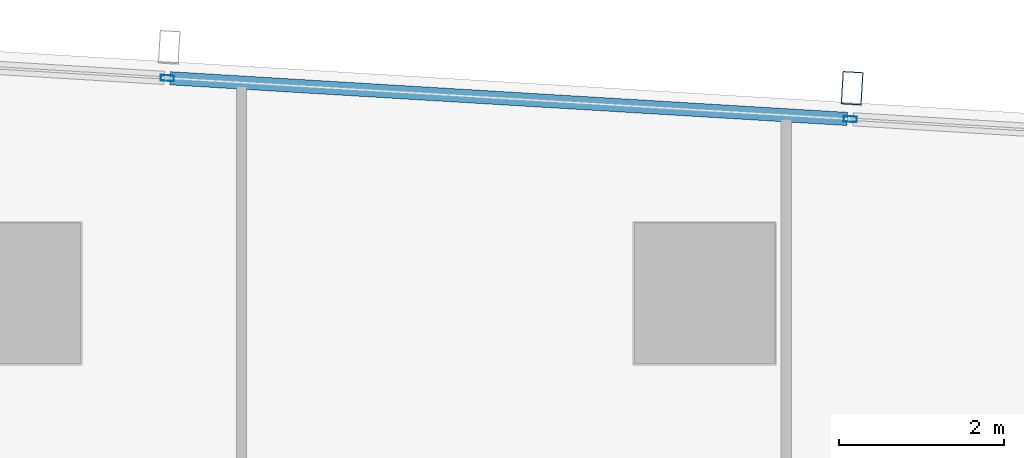
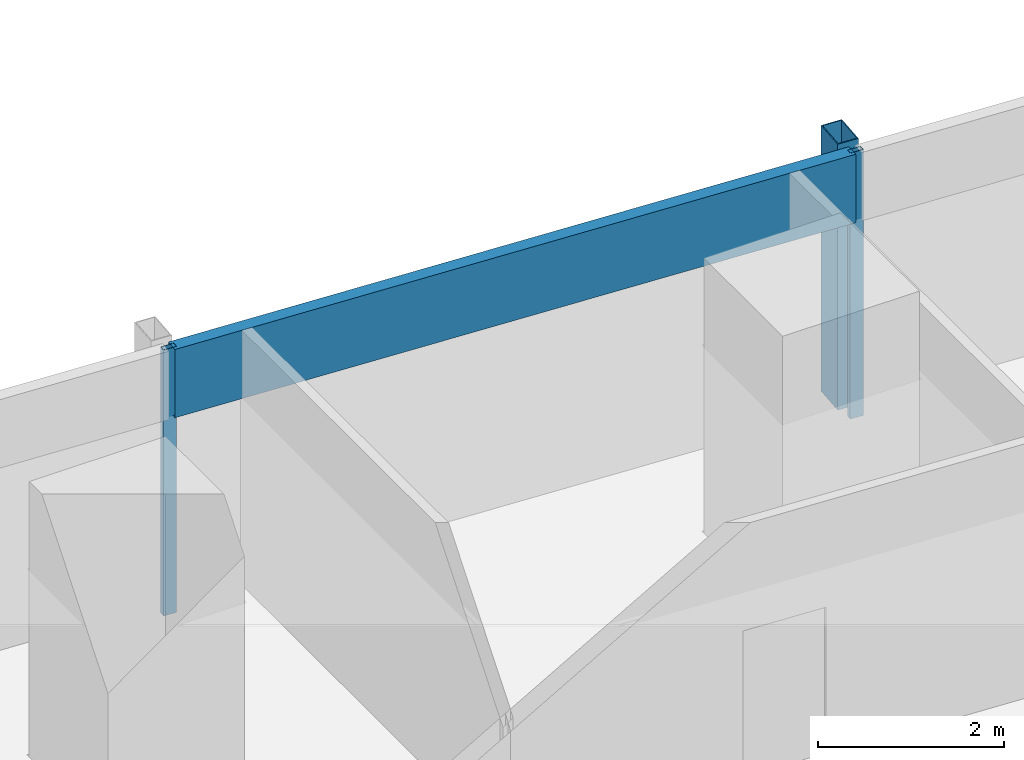
# One storey, part 19 of 40: 4 members, 1 element without a shape of its own.
"""IFC4 building model written with IfcOpenShell, lengths in metres."""

from ifc_helpers import new_model, si_unit, direction, frame, origin, origin_2d, place, context, subcontext, project, spatial, hollow_rectangle, extrude, material, material_profile, profile_set, type_object, element, aggregate, save


model = new_model("IFC4")

# Units and contexts
model_context = context("Model", 3, precision=1e-05, world=origin(), true_north=direction((0.0, 1.0)))
body_context = subcontext(model_context, "Body", "Model", "MODEL_VIEW")
ifc_project = project(units=[si_unit("LENGTHUNIT", "METRE"), si_unit("AREAUNIT", "SQUARE_METRE"), si_unit("VOLUMEUNIT", "CUBIC_METRE"), si_unit("PLANEANGLEUNIT", "RADIAN"), si_unit("MASSUNIT", "GRAM", prefix="KILO")], contexts=[model_context])

# Site, building, storey
site_placement = place(None, origin())
site = spatial("IfcSite", under=ifc_project, at=site_placement, CompositionType="ELEMENT")
building_placement = place(site_placement, origin())
building = spatial("IfcBuilding", under=site, at=building_placement, Name="Rekha Terrace Tower", CompositionType="ELEMENT")
storey_placement = place(building_placement, frame((0.0, 0.0, 140.300048828125)))
storey = spatial("IfcBuildingStorey", under=building, at=storey_placement, Name="L35", CompositionType="ELEMENT", Elevation=140.300048828125)

# Curtain wall, members
ifc_material_1 = material(Name="Aluminium framing", Category="aluminium")
curtain_wall_type = type_object("IfcCurtainWallType", Name="CW3 north unitised glazing", PredefinedType="USERDEFINED", material=ifc_material_1)
curtain_wall_placement = place(storey_placement, origin())
curtain_wall = element("IfcCurtainWall", 1, at=curtain_wall_placement, inside=storey, type_object=curtain_wall_type, Name="CW3 unitised curtain wall", ObjectType="UNITISED CURTAIN WALL", PredefinedType="USERDEFINED")
ifc_material_2 = material(Name="Steel S355 with fluorocarbon finish", Category="steel")
ifc_material_profile_1 = material_profile(ifc_material_2, hollow_rectangle(XDim=0.25, YDim=0.39990234375, WallThickness=0.012451171875, at=origin_2d()), Name="RHS400x250x12.5")
ifc_profile_set_1 = profile_set([ifc_material_profile_1], Name="Steel S355 with fluorocarbon finish")
member_type_1 = type_object("IfcMemberType", Name="BL1 facade blade RHS 400 x 250", PredefinedType="USERDEFINED", material=ifc_profile_set_1)
member_1_placement = place(storey_placement, frame((60.583740234375, 61.281005859375, 0.0), z_axis=(0.0, 0.0, 1.0), x_axis=(-0.998199123409, 0.059987582268, 0.0)))
member_1 = element("IfcMember", 2, at=member_1_placement, type_object=member_type_1, Name="Facade blade", ObjectType="FACADE BLADE", PredefinedType="USERDEFINED", context=body_context, shape_type="SweptSolid", body=[
    extrude(hollow_rectangle(XDim=0.25, YDim=0.39990234375, WallThickness=0.012451171875, at=origin_2d()), origin(), (0.0, 0.0, 1.0), 3.5),
])
ifc_material_3 = material(Name="Aluminium mullion section", Category="aluminium")
ifc_material_profile_2 = material_profile(ifc_material_3, hollow_rectangle(XDim=0.070068359375, YDim=0.159912109375, WallThickness=0.00390625, at=origin_2d()), Name="AL RHS 70x160")
ifc_profile_set_2 = profile_set([ifc_material_profile_2], Name="Aluminium mullion section")
member_type_2 = type_object("IfcMemberType", Name="CW3 mullion RHS 70 x 160", PredefinedType="MULLION", material=ifc_profile_set_2)
member_2_placement = place(storey_placement, frame((60.561279296875, 60.90673828125, 0.0), z_axis=(0.0, 0.0, 1.0), x_axis=(-0.059987926837, -0.998199102701, 0.0)))
member_2 = element("IfcMember", 3, at=member_2_placement, type_object=member_type_2, Name="CW3 mullion 2", PredefinedType="MULLION", context=body_context, shape_type="SweptSolid", body=[
    extrude(hollow_rectangle(XDim=0.070068359375, YDim=0.159912109375, WallThickness=0.00390625, at=origin_2d()), origin(), (0.0, 0.0, 1.0), 3.5),
])
member_3_placement = place(storey_placement, frame((52.299560546875, 61.4033203125, 0.0), z_axis=(0.0, 0.0, 1.0), x_axis=(-0.059987926837, -0.998199102701, 0.0)))
member_3 = element("IfcMember", 4, at=member_3_placement, type_object=member_type_2, Name="CW3 mullion 3", PredefinedType="MULLION", context=body_context, shape_type="SweptSolid", body=[
    extrude(hollow_rectangle(XDim=0.070068359375, YDim=0.159912109375, WallThickness=0.00390625, at=origin_2d()), origin(), (0.0, 0.0, 1.0), 3.5),
])
ifc_material_4 = material(Name="Insulated aluminium spandrel box", Category="aluminium")
ifc_material_profile_3 = material_profile(ifc_material_4, hollow_rectangle(XDim=0.159912109375, YDim=0.89990234375, WallThickness=0.0029296875, at=origin_2d()), Name="AL SPANDREL BOX 160x900")
ifc_profile_set_3 = profile_set([ifc_material_profile_3], Name="Insulated aluminium spandrel box")
member_type_3 = type_object("IfcMemberType", Name="CW3 spandrel transom 160 x 900", PredefinedType="USERDEFINED", material=ifc_profile_set_3)
member_4_placement = place(storey_placement, frame((60.5263671875, 60.908935546875, 3.050048828125), z_axis=(-0.998199826332, 0.059975884418, 0.0), x_axis=(-0.059975884418, -0.998199826332, 0.0)))
member_4 = element("IfcMember", 5, at=member_4_placement, type_object=member_type_3, Name="CW3 spandrel transom 2", ObjectType="TRANSOM", PredefinedType="USERDEFINED", context=body_context, shape_type="SweptSolid", body=[
    extrude(hollow_rectangle(XDim=0.159912109375, YDim=0.89990234375, WallThickness=0.0029296875, at=origin_2d()), origin(), (0.0, 0.0, 1.0), 8.20654296875),
])
aggregate(curtain_wall, [member_2, member_3, member_4, member_1])

save(model, "model.ifc")
